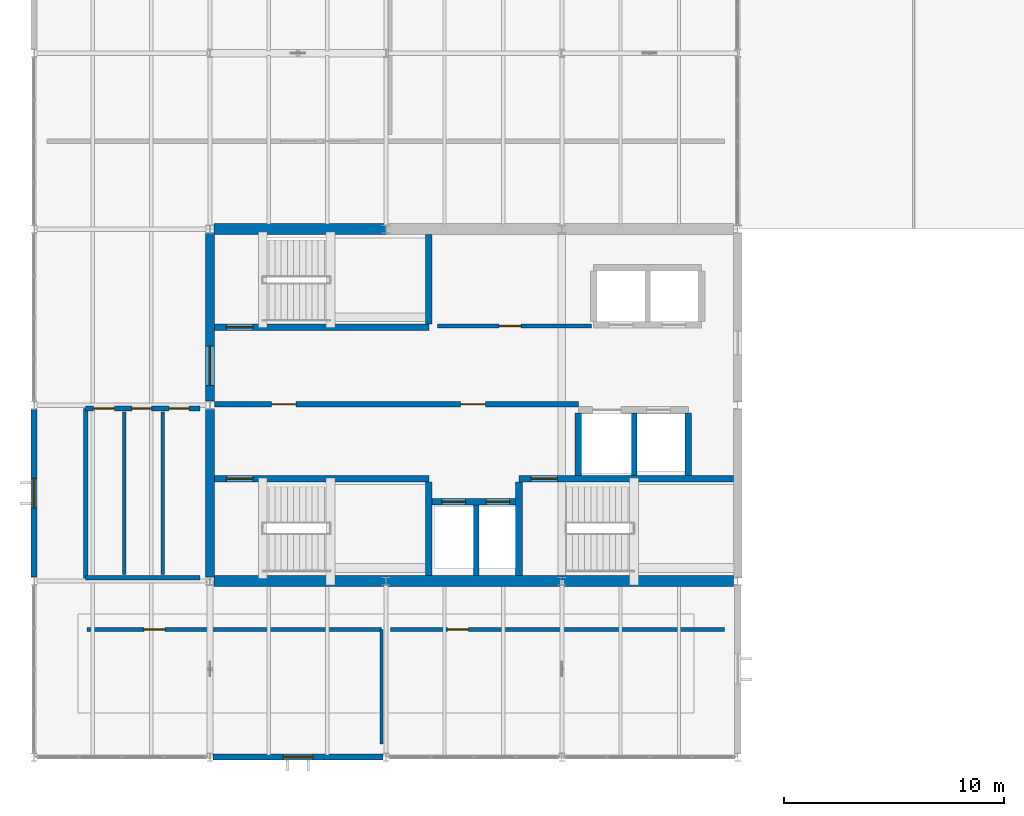
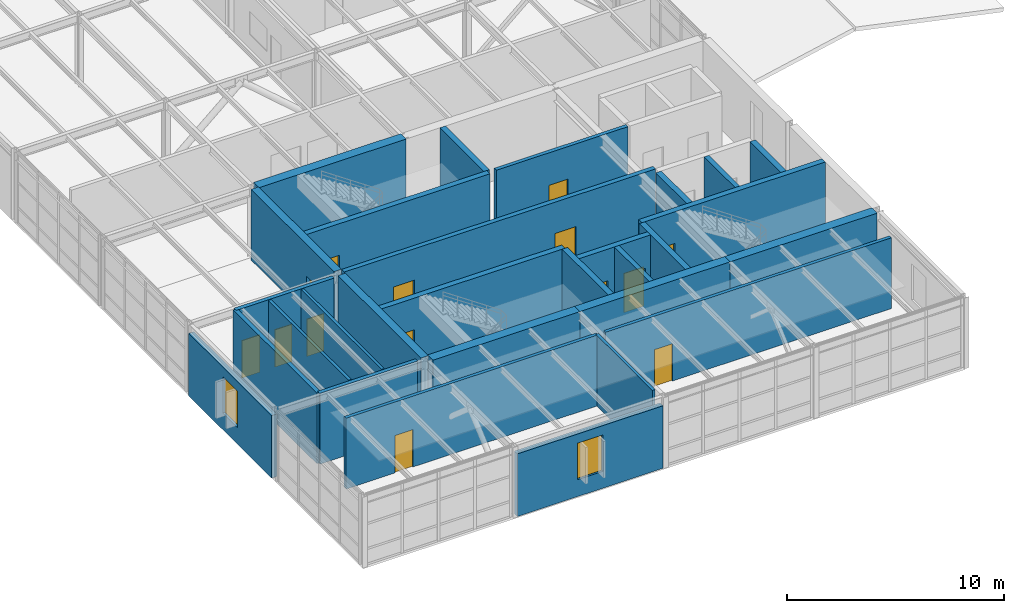
# One storey, part 16 of 20: 29 walls, 14 doors, 2 windows, 16 openings.
"""IFC4 building model written with IfcOpenShell, lengths in metres."""

from ifc_helpers import new_model, si_unit, direction, frame, frame_2d, origin, place, context, subcontext, project, spatial, rectangle, extrude, material, layer, layer_set, type_object, element, fill, save


model = new_model("IFC4")

# Units and contexts
model_context = context("Model", 3, precision=1e-05, world=origin(), true_north=direction((0.0, 1.0)))
body_context = subcontext(model_context, "Body", "Model", "MODEL_VIEW")
ifc_project = project(units=[si_unit("LENGTHUNIT", "METRE"), si_unit("AREAUNIT", "SQUARE_METRE"), si_unit("VOLUMEUNIT", "CUBIC_METRE"), si_unit("PLANEANGLEUNIT", "RADIAN"), si_unit("MASSUNIT", "GRAM", prefix="KILO")], contexts=[model_context])

# Site, building, storey
site_placement = place(None, origin())
site = spatial("IfcSite", under=ifc_project, at=site_placement, CompositionType="ELEMENT")
building_placement = place(site_placement, origin())
building = spatial("IfcBuilding", under=site, at=building_placement, Name="Varnela Railside Interchange", CompositionType="ELEMENT")
storey_placement = place(building_placement, frame((0.0, 0.0, 28.0)))
storey = spatial("IfcBuildingStorey", under=building, at=storey_placement, Name="L06", CompositionType="ELEMENT", Elevation=28.0)

# Walls
ifc_material_1 = material(Name="Gypsum acoustic board")
ifc_layer_1 = layer(ifc_material_1, 0.14990234375)
ifc_layer_set_1 = layer_set([ifc_layer_1], Name="Gypsum acoustic board")
wall_type_1 = type_object("IfcWallType", Name="Acoustic Drywall Partition IW-01", PredefinedType="PARTITIONING", material=ifc_layer_set_1)
for number, where, z_axis, x_axis, name in (
    (1, (8.10009765625, 54.300048828125, 0.0), (0.0, 0.0, 1.0), (0.0, 1.0, 0.0), "Acoustic Drywall Partition IW-01 (L06) (WL-1018)"),
    (2, (9.85009765625, 54.300048828125, 0.0), (0.0, 0.0, 1.0), (0.0, 1.0, 0.0), "Acoustic Drywall Partition IW-01 (L06) (WL-1019)"),
):
    element("IfcWall", number, at=place(storey_placement, frame(where, z_axis=z_axis, x_axis=x_axis)), inside=storey, type_object=wall_type_1, Name=name, PredefinedType="PARTITIONING", context=body_context, shape_type="SweptSolid", body=[
        extrude(rectangle(XDim=7.39990234375, YDim=0.14990234375, at=frame_2d((3.699951171875, 0.0))), origin(), (0.0, 0.0, 1.0), 3.97998046875),
    ])
wall_1_placement = place(storey_placement, frame((19.800048828125, 46.60009765625, 0.0), z_axis=(0.0, 0.0, 1.0), x_axis=(0.0, 1.0, 0.0)))
element("IfcWall", 3, at=wall_1_placement, inside=storey, type_object=wall_type_1, Name="Acoustic Drywall Partition IW-01 (L06) (WL-1012)", PredefinedType="PARTITIONING", context=body_context, shape_type="SweptSolid", body=[
    extrude(rectangle(XDim=5.199951171875, YDim=0.14990234375, at=frame_2d((2.60009765625, 0.0))), origin(), (0.0, 0.0, 1.0), 3.97998046875),
])
ifc_material_2 = material(Name="Concrete C50", Category="concrete")
ifc_layer_2 = layer(ifc_material_2, 0.39990234375)
ifc_layer_set_2 = layer_set([ifc_layer_2], Name="Concrete C50")
wall_type_2 = type_object("IfcWallType", Name="Core Coupling Shear Wall SW-02", PredefinedType="SHEAR", material=ifc_layer_set_2)
wall_2_placement = place(storey_placement, frame((12.0, 54.179931640625, 0.0), z_axis=(0.0, 0.0, 1.0), x_axis=(0.0, 1.0, 0.0)))
element("IfcWall", 4, at=wall_2_placement, inside=storey, type_object=wall_type_2, Name="Core Coupling Shear Wall SW-02 (L06) (WL-1003)", PredefinedType="SHEAR", context=body_context, shape_type="SweptSolid", body=[
    extrude(rectangle(XDim=7.64013671875, YDim=0.39990234375, at=frame_2d((3.820068359375, 0.0))), origin(), (0.0, 0.0, 1.0), 3.97998046875),
])

# Wall, opening, door
wall_3_placement = place(storey_placement, frame((12.0, 62.179931640625, 0.0), z_axis=(0.0, 0.0, 1.0), x_axis=(0.0, 1.0, 0.0)))
wall_3 = element("IfcWall", 5, at=wall_3_placement, inside=storey, type_object=wall_type_2, Name="Core Coupling Shear Wall SW-02 (L06) (WL-1004)", PredefinedType="SHEAR", context=body_context, shape_type="SweptSolid", body=[
    extrude(rectangle(XDim=7.64013671875, YDim=0.39990234375, at=frame_2d((3.820068359375, 0.0))), origin(), (0.0, 0.0, 1.0), 3.97998046875),
])
opening_1_placement = place(wall_3_placement, frame((0.719970703125, 0.0, 0.0)))
opening_1 = element("IfcOpeningElement", 6, at=opening_1_placement, cuts=wall_3, Name="Opening D-297", PredefinedType="OPENING", context=body_context, shape_type="SweptSolid", body=[
    extrude(rectangle(XDim=1.800048828125, YDim=2.199951171875, at=frame_2d((0.89990234375, 1.10009765625))), frame((0.0, 0.2099609375, 0.0), z_axis=(0.0, -1.0, 0.0), x_axis=(1.0, 0.0, 0.0)), (0.0, 0.0, 1.0), 0.419921875),
])
ifc_material_3 = material(Name="Steel AR 350 (350 MPa)", Category="steel")
door_type_1 = type_object("IfcDoorType", Name="DR-DBL-1800-FD60", OperationType="DOUBLE_DOOR_SINGLE_SWING", PredefinedType="DOOR", material=ifc_material_3)
door_1_placement = place(opening_1_placement, frame((1.800048828125, 0.0, 0.0), z_axis=(0.0, 0.0, 1.0), x_axis=(-1.0, 0.0, 0.0)))
door_1 = element("IfcDoor", 7, at=door_1_placement, inside=storey, type_object=door_type_1, Name="Door D-297", OperationType="DOUBLE_DOOR_SINGLE_SWING", OverallHeight=2.199951171875, OverallWidth=1.800048828125, PredefinedType="DOOR", context=body_context, shape_type="SweptSolid", body=[
    extrude(rectangle(XDim=1.800048828125, YDim=2.199951171875, at=frame_2d((0.89990234375, 1.10009765625))), frame((0.0, 0.02490234375, 0.0), z_axis=(0.0, -1.0, 0.0), x_axis=(1.0, 0.0, 0.0)), (0.0, 0.0, 1.0), 0.050048828125),
])
fill(opening_1, door_1)

# Walls
ifc_layer_3 = layer(ifc_material_2, 0.5)
ifc_layer_set_3 = layer_set([ifc_layer_3], Name="Concrete C50")
wall_type_3 = type_object("IfcWallType", Name="Core Primary Shear Wall SW-01", PredefinedType="SHEAR", material=ifc_layer_set_3)
wall_4_placement = place(storey_placement, frame((12.18505859375, 54.0, 0.0), z_axis=(0.0, 0.0, 1.0), x_axis=(1.0, 0.0, 0.0)))
element("IfcWall", 8, at=wall_4_placement, inside=storey, type_object=wall_type_3, Name="Core Primary Shear Wall SW-01 (L06) (WL-0994)", PredefinedType="SHEAR", context=body_context, shape_type="SweptSolid", body=[
    extrude(rectangle(XDim=7.81494140625, YDim=0.5, at=frame_2d((3.907470703125, 0.0))), origin(), (0.0, 0.0, 1.0), 3.97998046875),
])
wall_5_placement = place(storey_placement, frame((20.0, 54.0, 0.0), z_axis=(0.0, 0.0, 1.0), x_axis=(1.0, 0.0, 0.0)))
element("IfcWall", 9, at=wall_5_placement, inside=storey, type_object=wall_type_3, Name="Core Primary Shear Wall SW-01 (L06) (WL-0995)", PredefinedType="SHEAR", context=body_context, shape_type="SweptSolid", body=[
    extrude(rectangle(XDim=8.0, YDim=0.5, at=frame_2d((4.0, 0.0))), origin(), (0.0, 0.0, 1.0), 3.97998046875),
])
for number, where, z_axis, x_axis, name in (
    (10, (28.0, 54.0, 0.0), (0.0, 0.0, 1.0), (1.0, 0.0, 0.0), "Core Primary Shear Wall SW-01 (L06) (WL-0996)"),
    (11, (12.18505859375, 70.0, 0.0), (0.0, 0.0, 1.0), (1.0, 0.0, 0.0), "Core Primary Shear Wall SW-01 (L06) (WL-0991)"),
):
    element("IfcWall", number, at=place(storey_placement, frame(where, z_axis=z_axis, x_axis=x_axis)), inside=storey, type_object=wall_type_3, Name=name, PredefinedType="SHEAR", context=body_context, shape_type="SweptSolid", body=[
        extrude(rectangle(XDim=7.81494140625, YDim=0.5, at=frame_2d((3.907470703125, 0.0))), origin(), (0.0, 0.0, 1.0), 3.97998046875),
    ])

# Wall, opening, door
ifc_layer_4 = layer(ifc_material_1, 0.179931640625)
ifc_layer_set_4 = layer_set([ifc_layer_4], Name="Gypsum acoustic board")
wall_type_4 = type_object("IfcWallType", Name="Double-Stud Corridor Wall IW-02", PredefinedType="PARTITIONING", material=ifc_layer_set_4)
wall_6_placement = place(storey_placement, frame((6.39990234375, 51.800048828125, 0.0), z_axis=(0.0, 0.0, 1.0), x_axis=(1.0, 0.0, 0.0)))
wall_6 = element("IfcWall", 12, at=wall_6_placement, inside=storey, type_object=wall_type_4, Name="Double-Stud Corridor Wall IW-02 (L06) (WL-1013)", PredefinedType="PARTITIONING", context=body_context, shape_type="SweptSolid", body=[
    extrude(rectangle(XDim=13.400146484375, YDim=0.179931640625, at=frame_2d((6.7001953125, 0.0))), origin(), (0.0, 0.0, 1.0), 3.97998046875),
])
opening_2_placement = place(wall_6_placement, frame((2.60009765625, 0.0, 0.0)))
opening_2 = element("IfcOpeningElement", 13, at=opening_2_placement, cuts=wall_6, Name="Opening D-305", PredefinedType="OPENING", context=body_context, shape_type="SweptSolid", body=[
    extrude(rectangle(XDim=0.949951171875, YDim=2.10009765625, at=frame_2d((0.47509765625, 1.050048828125))), frame((0.0, 0.099853515625, 0.0), z_axis=(0.0, -1.0, 0.0), x_axis=(1.0, 0.0, 0.0)), (0.0, 0.0, 1.0), 0.199951171875),
])
ifc_material_4 = material(Name="Timber solid core", Category="wood")
door_type_2 = type_object("IfcDoorType", Name="DR-SGL-950-ACC", OperationType="NOTDEFINED", PredefinedType="DOOR", material=ifc_material_4)
door_2_placement = place(opening_2_placement, origin())
door_2 = element("IfcDoor", 14, at=door_2_placement, inside=storey, type_object=door_type_2, Name="Door D-305", OperationType="SINGLE_SWING_RIGHT", OverallHeight=2.10009765625, OverallWidth=0.949951171875, PredefinedType="DOOR", context=body_context, shape_type="SweptSolid", body=[
    extrude(rectangle(XDim=0.949951171875, YDim=2.10009765625, at=frame_2d((0.47509765625, 1.050048828125))), frame((0.0, 0.02490234375, 0.0), z_axis=(0.0, -1.0, 0.0), x_axis=(1.0, 0.0, 0.0)), (0.0, 0.0, 1.0), 0.050048828125),
])
fill(opening_2, door_2)

wall_7_placement = place(storey_placement, frame((20.199951171875, 51.800048828125, 0.0), z_axis=(0.0, 0.0, 1.0), x_axis=(1.0, 0.0, 0.0)))
wall_7 = element("IfcWall", 15, at=wall_7_placement, inside=storey, type_object=wall_type_4, Name="Double-Stud Corridor Wall IW-02 (L06) (WL-1015)", PredefinedType="PARTITIONING", context=body_context, shape_type="SweptSolid", body=[
    extrude(rectangle(XDim=15.199951171875, YDim=0.179931640625, at=frame_2d((7.60009765625, 0.0))), origin(), (0.0, 0.0, 1.0), 3.97998046875),
])
opening_3_placement = place(wall_7_placement, frame((2.60009765625, 0.0, 0.0)))
opening_3 = element("IfcOpeningElement", 16, at=opening_3_placement, cuts=wall_7, Name="Opening D-306", PredefinedType="OPENING", context=body_context, shape_type="SweptSolid", body=[
    extrude(rectangle(XDim=0.949951171875, YDim=2.10009765625, at=frame_2d((0.47509765625, 1.050048828125))), frame((0.0, 0.099853515625, 0.0), z_axis=(0.0, -1.0, 0.0), x_axis=(1.0, 0.0, 0.0)), (0.0, 0.0, 1.0), 0.199951171875),
])
door_3_placement = place(opening_3_placement, origin())
door_3 = element("IfcDoor", 17, at=door_3_placement, inside=storey, type_object=door_type_2, Name="Door D-306", OperationType="SINGLE_SWING_LEFT", OverallHeight=2.10009765625, OverallWidth=0.949951171875, PredefinedType="DOOR", context=body_context, shape_type="SweptSolid", body=[
    extrude(rectangle(XDim=0.949951171875, YDim=2.10009765625, at=frame_2d((0.47509765625, 1.050048828125))), frame((0.0, 0.02490234375, 0.0), z_axis=(0.0, -1.0, 0.0), x_axis=(1.0, 0.0, 0.0)), (0.0, 0.0, 1.0), 0.050048828125),
])
fill(opening_3, door_3)

ifc_material_5 = material(Name="Concrete C40", Category="concrete")
ifc_layer_5 = layer(ifc_material_5, 0.199951171875)
ifc_layer_set_5 = layer_set([ifc_layer_5], Name="Concrete C40")
wall_type_5 = type_object("IfcWallType", Name="Fire Compartment Wall EI60 FW-01", PredefinedType="SOLIDWALL", material=ifc_layer_set_5)
wall_8_placement = place(storey_placement, frame((22.35009765625, 65.60009765625, 0.0), z_axis=(0.0, 0.0, 1.0), x_axis=(1.0, 0.0, 0.0)))
wall_8 = element("IfcWall", 18, at=wall_8_placement, inside=storey, type_object=wall_type_5, Name="Fire Compartment Wall EI60 FW-01 (L06) (WL-1011)", PredefinedType="SOLIDWALL", context=body_context, shape_type="SweptSolid", body=[
    extrude(rectangle(XDim=7.0, YDim=0.199951171875, at=frame_2d((3.5, 0.0))), origin(), (0.0, 0.0, 1.0), 3.97998046875),
])
opening_4_placement = place(wall_8_placement, frame((2.800048828125, 0.0, 0.0)))
opening_4 = element("IfcOpeningElement", 19, at=opening_4_placement, cuts=wall_8, Name="Opening D-298", PredefinedType="OPENING", context=body_context, shape_type="SweptSolid", body=[
    extrude(rectangle(XDim=1.0, YDim=2.14990234375, at=frame_2d((0.5, 1.074951171875))), frame((0.0, 0.10986328125, 0.0), z_axis=(0.0, -1.0, 0.0), x_axis=(1.0, 0.0, 0.0)), (0.0, 0.0, 1.0), 0.219970703125),
])
door_type_3 = type_object("IfcDoorType", Name="DR-SGL-1000-FD60", OperationType="NOTDEFINED", PredefinedType="DOOR", material=ifc_material_3)
door_4_placement = place(opening_4_placement, origin())
door_4 = element("IfcDoor", 20, at=door_4_placement, inside=storey, type_object=door_type_3, Name="Door D-298", OperationType="SINGLE_SWING_RIGHT", OverallHeight=2.14990234375, OverallWidth=1.0, PredefinedType="DOOR", context=body_context, shape_type="SweptSolid", body=[
    extrude(rectangle(XDim=1.0, YDim=2.14990234375, at=frame_2d((0.5, 1.074951171875))), frame((0.0, 0.02490234375, 0.0), z_axis=(0.0, -1.0, 0.0), x_axis=(1.0, 0.0, 0.0)), (0.0, 0.0, 1.0), 0.050048828125),
])
fill(opening_4, door_4)

# Wall, opening, window
ifc_material_6 = material(Name="Concrete C40 precast", Category="concrete")
ifc_layer_6 = layer(ifc_material_6, 0.280029296875)
ifc_layer_set_6 = layer_set([ifc_layer_6], Name="Concrete C40 precast")
wall_type_6 = type_object("IfcWallType", Name="Ribbed Precast Concrete Facade Wall EW-02", PredefinedType="STANDARD", material=ifc_layer_set_6)
wall_9_placement = place(storey_placement, frame((19.87158203125, 46.0, 0.0), z_axis=(0.0, 0.0, 1.0), x_axis=(-1.0, 0.0, 0.0)))
wall_9 = element("IfcWall", 21, at=wall_9_placement, inside=storey, type_object=wall_type_6, Name="Ribbed Precast Concrete Facade Wall EW-02 (L06) (WL-1008)", PredefinedType="STANDARD", context=body_context, shape_type="SweptSolid", body=[
    extrude(rectangle(XDim=7.7431640625, YDim=0.280029296875, at=frame_2d((3.87158203125, 0.0))), origin(), (0.0, 0.0, 1.0), 3.52001953125),
])
opening_5_placement = place(wall_9_placement, frame((3.196533203125, 0.0, 0.949951171875)))
opening_5 = element("IfcOpeningElement", 22, at=opening_5_placement, cuts=wall_9, Name="Opening W-143", PredefinedType="OPENING", context=body_context, shape_type="SweptSolid", body=[
    extrude(rectangle(XDim=1.35009765625, YDim=2.050048828125, at=frame_2d((0.675048828125, 1.02490234375))), frame((0.0, 0.14990234375, 0.0), z_axis=(0.0, -1.0, 0.0), x_axis=(1.0, 0.0, 0.0)), (0.0, 0.0, 1.0), 0.300048828125),
])
ifc_material_7 = material(Name="Glass laminated double", Category="glass")
window_type = type_object("IfcWindowType", Name="SCADA Corner Window WN-15", PartitioningType="SINGLE_PANEL", PredefinedType="WINDOW", material=ifc_material_7)
window_1_placement = place(opening_5_placement, origin())
window_1 = element("IfcWindow", 23, at=window_1_placement, inside=storey, type_object=window_type, Name="Window W-143", OverallHeight=2.050048828125, OverallWidth=1.35009765625, PartitioningType="SINGLE_PANEL", PredefinedType="WINDOW", context=body_context, shape_type="SweptSolid", body=[
    extrude(rectangle(XDim=1.35009765625, YDim=2.050048828125, at=frame_2d((0.675048828125, 1.02490234375))), frame((0.0, 0.030029296875, 0.0), z_axis=(0.0, -1.0, 0.0), x_axis=(1.0, 0.0, 0.0)), (0.0, 0.0, 1.0), 0.06005859375),
])
fill(opening_5, window_1)

wall_10_placement = place(storey_placement, frame((4.0, 54.181396484375, 0.0), z_axis=(0.0, 0.0, 1.0), x_axis=(0.0, 1.0, 0.0)))
wall_10 = element("IfcWall", 24, at=wall_10_placement, inside=storey, type_object=wall_type_6, Name="Ribbed Precast Concrete Facade Wall EW-02 (L06) (WL-1009)", PredefinedType="STANDARD", context=body_context, shape_type="SweptSolid", body=[
    extrude(rectangle(XDim=7.63720703125, YDim=0.280029296875, at=frame_2d((3.818603515625, 0.0))), origin(), (0.0, 0.0, 1.0), 3.52001953125),
])
opening_6_placement = place(wall_10_placement, frame((3.1435546875, 0.0, 0.949951171875)))
opening_6 = element("IfcOpeningElement", 25, at=opening_6_placement, cuts=wall_10, Name="Opening W-144", PredefinedType="OPENING", context=body_context, shape_type="SweptSolid", body=[
    extrude(rectangle(XDim=1.35009765625, YDim=2.050048828125, at=frame_2d((0.675048828125, 1.02490234375))), frame((0.0, 0.14990234375, 0.0), z_axis=(0.0, -1.0, 0.0), x_axis=(1.0, 0.0, 0.0)), (0.0, 0.0, 1.0), 0.300048828125),
])
window_2_placement = place(opening_6_placement, origin())
window_2 = element("IfcWindow", 26, at=window_2_placement, inside=storey, type_object=window_type, Name="Window W-144", OverallHeight=2.050048828125, OverallWidth=1.35009765625, PartitioningType="SINGLE_PANEL", PredefinedType="WINDOW", context=body_context, shape_type="SweptSolid", body=[
    extrude(rectangle(XDim=1.35009765625, YDim=2.050048828125, at=frame_2d((0.675048828125, 1.02490234375))), frame((0.0, 0.030029296875, 0.0), z_axis=(0.0, -1.0, 0.0), x_axis=(1.0, 0.0, 0.0)), (0.0, 0.0, 1.0), 0.06005859375),
])
fill(opening_6, window_2)

# Wall, openings, doors
ifc_material_8 = material(Name="Masonry concrete block", Category="masonry")
ifc_layer_7 = layer(ifc_material_8, 0.2099609375)
ifc_layer_set_7 = layer_set([ifc_layer_7], Name="Masonry concrete block")
wall_type_7 = type_object("IfcWallType", Name="Sanitary Plumbing Chase Wall IW-04", PredefinedType="PLUMBINGWALL", material=ifc_layer_set_7)
wall_11_placement = place(storey_placement, frame((6.35009765625, 61.85009765625, 0.0), z_axis=(0.0, 0.0, 1.0), x_axis=(1.0, 0.0, 0.0)))
wall_11 = element("IfcWall", 27, at=wall_11_placement, inside=storey, type_object=wall_type_7, Name="Sanitary Plumbing Chase Wall IW-04 (L06) (WL-1020)", PredefinedType="PLUMBINGWALL", context=body_context, shape_type="SweptSolid", body=[
    extrude(rectangle(XDim=5.199951171875, YDim=0.2099609375, at=frame_2d((2.60009765625, 0.0))), origin(), (0.0, 0.0, 1.0), 3.97998046875),
])
opening_7_placement = place(wall_11_placement, frame((0.35009765625, 0.0, 0.0)))
opening_7 = element("IfcOpeningElement", 28, at=opening_7_placement, cuts=wall_11, Name="Opening D-299", PredefinedType="OPENING", context=body_context, shape_type="SweptSolid", body=[
    extrude(rectangle(XDim=0.949951171875, YDim=2.10009765625, at=frame_2d((0.47509765625, 1.050048828125))), frame((0.0, 0.114990234375, 0.0), z_axis=(0.0, -1.0, 0.0), x_axis=(1.0, 0.0, 0.0)), (0.0, 0.0, 1.0), 0.22998046875),
])
opening_8_placement = place(wall_11_placement, frame((2.10009765625, 0.0, 0.0)))
opening_8 = element("IfcOpeningElement", 29, at=opening_8_placement, cuts=wall_11, Name="Opening D-300", PredefinedType="OPENING", context=body_context, shape_type="SweptSolid", body=[
    extrude(rectangle(XDim=0.89990234375, YDim=2.10009765625, at=frame_2d((0.449951171875, 1.050048828125))), frame((0.0, 0.114990234375, 0.0), z_axis=(0.0, -1.0, 0.0), x_axis=(1.0, 0.0, 0.0)), (0.0, 0.0, 1.0), 0.22998046875),
])
opening_9_placement = place(wall_11_placement, frame((3.800048828125, 0.0, 0.0)))
opening_9 = element("IfcOpeningElement", 30, at=opening_9_placement, cuts=wall_11, Name="Opening D-301", PredefinedType="OPENING", context=body_context, shape_type="SweptSolid", body=[
    extrude(rectangle(XDim=0.89990234375, YDim=2.10009765625, at=frame_2d((0.449951171875, 1.050048828125))), frame((0.0, 0.114990234375, 0.0), z_axis=(0.0, -1.0, 0.0), x_axis=(1.0, 0.0, 0.0)), (0.0, 0.0, 1.0), 0.22998046875),
])
door_type_4 = type_object("IfcDoorType", Name="DR-SGL-900", OperationType="NOTDEFINED", PredefinedType="DOOR", material=ifc_material_4)
door_5_placement = place(opening_8_placement, origin())
door_5 = element("IfcDoor", 31, at=door_5_placement, inside=storey, type_object=door_type_4, Name="Door D-300", OperationType="SINGLE_SWING_RIGHT", OverallHeight=2.10009765625, OverallWidth=0.89990234375, PredefinedType="DOOR", context=body_context, shape_type="SweptSolid", body=[
    extrude(rectangle(XDim=0.89990234375, YDim=2.10009765625, at=frame_2d((0.449951171875, 1.050048828125))), frame((0.0, 0.02490234375, 0.0), z_axis=(0.0, -1.0, 0.0), x_axis=(1.0, 0.0, 0.0)), (0.0, 0.0, 1.0), 0.050048828125),
])
fill(opening_8, door_5)
door_6_placement = place(opening_9_placement, origin())
door_6 = element("IfcDoor", 32, at=door_6_placement, inside=storey, type_object=door_type_4, Name="Door D-301", OperationType="SINGLE_SWING_LEFT", OverallHeight=2.10009765625, OverallWidth=0.89990234375, PredefinedType="DOOR", context=body_context, shape_type="SweptSolid", body=[
    extrude(rectangle(XDim=0.89990234375, YDim=2.10009765625, at=frame_2d((0.449951171875, 1.050048828125))), frame((0.0, 0.02490234375, 0.0), z_axis=(0.0, -1.0, 0.0), x_axis=(1.0, 0.0, 0.0)), (0.0, 0.0, 1.0), 0.050048828125),
])
fill(opening_9, door_6)
door_7_placement = place(opening_7_placement, origin())
door_7 = element("IfcDoor", 33, at=door_7_placement, inside=storey, type_object=door_type_2, Name="Door D-299", OperationType="SINGLE_SWING_LEFT", OverallHeight=2.10009765625, OverallWidth=0.949951171875, PredefinedType="DOOR", context=body_context, shape_type="SweptSolid", body=[
    extrude(rectangle(XDim=0.949951171875, YDim=2.10009765625, at=frame_2d((0.47509765625, 1.050048828125))), frame((0.0, 0.02490234375, 0.0), z_axis=(0.0, -1.0, 0.0), x_axis=(1.0, 0.0, 0.0)), (0.0, 0.0, 1.0), 0.050048828125),
])
fill(opening_7, door_7)

# Walls
wall_12_placement = place(storey_placement, frame((6.35009765625, 54.14990234375, 0.0), z_axis=(0.0, 0.0, 1.0), x_axis=(1.0, 0.0, 0.0)))
element("IfcWall", 34, at=wall_12_placement, inside=storey, type_object=wall_type_7, Name="Sanitary Plumbing Chase Wall IW-04 (L06) (WL-1021)", PredefinedType="PLUMBINGWALL", context=body_context, shape_type="SweptSolid", body=[
    extrude(rectangle(XDim=5.199951171875, YDim=0.2099609375, at=frame_2d((2.60009765625, 0.0))), origin(), (0.0, 0.0, 1.0), 3.97998046875),
])
wall_13_placement = place(storey_placement, frame((6.35009765625, 54.14990234375, 0.0), z_axis=(0.0, 0.0, 1.0), x_axis=(0.0, 1.0, 0.0)))
element("IfcWall", 35, at=wall_13_placement, inside=storey, type_object=wall_type_7, Name="Sanitary Plumbing Chase Wall IW-04 (L06) (WL-1022)", PredefinedType="PLUMBINGWALL", context=body_context, shape_type="SweptSolid", body=[
    extrude(rectangle(XDim=7.7001953125, YDim=0.2099609375, at=frame_2d((3.85009765625, 0.0))), origin(), (0.0, 0.0, 1.0), 3.97998046875),
])

# Wall, opening, door
ifc_layer_8 = layer(ifc_material_2, 0.300048828125)
ifc_layer_set_8 = layer_set([ifc_layer_8], Name="Concrete C50")
wall_type_8 = type_object("IfcWallType", Name="Stair & Lift Shaft Wall SW-03", PredefinedType="SHEAR", material=ifc_layer_set_8)
wall_14_placement = place(storey_placement, frame((12.199951171875, 58.64990234375, 0.0), z_axis=(0.0, 0.0, 1.0), x_axis=(1.0, 0.0, 0.0)))
wall_14 = element("IfcWall", 36, at=wall_14_placement, inside=storey, type_object=wall_type_8, Name="Stair & Lift Shaft Wall SW-03 (L06) (WL-0998)", PredefinedType="SHEAR", context=body_context, shape_type="SweptSolid", body=[
    extrude(rectangle(XDim=9.75, YDim=0.300048828125, at=frame_2d((4.875, 0.0))), origin(), (0.0, 0.0, 1.0), 3.97998046875),
])
opening_10_placement = place(wall_14_placement, frame((0.550048828125, 0.0, 0.0)))
opening_10 = element("IfcOpeningElement", 37, at=opening_10_placement, cuts=wall_14, Name="Opening D-292", PredefinedType="OPENING", context=body_context, shape_type="SweptSolid", body=[
    extrude(rectangle(XDim=1.199951171875, YDim=2.199951171875, at=frame_2d((0.60009765625, 1.10009765625))), frame((0.0, 0.159912109375, 0.0), z_axis=(0.0, -1.0, 0.0), x_axis=(1.0, 0.0, 0.0)), (0.0, 0.0, 1.0), 0.320068359375),
])
door_type_5 = type_object("IfcDoorType", Name="DR-SGL-1200-FD90", OperationType="NOTDEFINED", PredefinedType="DOOR", material=ifc_material_3)
door_8_placement = place(opening_10_placement, frame((1.199951171875, 0.0, 0.0), z_axis=(0.0, 0.0, 1.0), x_axis=(-1.0, 0.0, 0.0)))
door_8 = element("IfcDoor", 38, at=door_8_placement, inside=storey, type_object=door_type_5, Name="Door D-292", OperationType="SINGLE_SWING_LEFT", OverallHeight=2.199951171875, OverallWidth=1.199951171875, PredefinedType="DOOR", context=body_context, shape_type="SweptSolid", body=[
    extrude(rectangle(XDim=1.199951171875, YDim=2.199951171875, at=frame_2d((0.60009765625, 1.10009765625))), frame((0.0, 0.02490234375, 0.0), z_axis=(0.0, -1.0, 0.0), x_axis=(1.0, 0.0, 0.0)), (0.0, 0.0, 1.0), 0.050048828125),
])
fill(opening_10, door_8)

# Wall
wall_15_placement = place(storey_placement, frame((21.949951171875, 54.25, 0.0), z_axis=(0.0, 0.0, 1.0), x_axis=(0.0, 1.0, 0.0)))
element("IfcWall", 39, at=wall_15_placement, inside=storey, type_object=wall_type_8, Name="Stair & Lift Shaft Wall SW-03 (L06) (WL-0997)", PredefinedType="SHEAR", context=body_context, shape_type="SweptSolid", body=[
    extrude(rectangle(XDim=4.25, YDim=0.300048828125, at=frame_2d((2.125, 0.0))), origin(), (0.0, 0.0, 1.0), 3.97998046875),
])

# Wall, opening, door
wall_16_placement = place(storey_placement, frame((26.050048828125, 58.64990234375, 0.0), z_axis=(0.0, 0.0, 1.0), x_axis=(1.0, 0.0, 0.0)))
wall_16 = element("IfcWall", 40, at=wall_16_placement, inside=storey, type_object=wall_type_8, Name="Stair & Lift Shaft Wall SW-03 (L06) (WL-0999)", PredefinedType="SHEAR", context=body_context, shape_type="SweptSolid", body=[
    extrude(rectangle(XDim=9.75, YDim=0.300048828125, at=frame_2d((4.875, 0.0))), origin(), (0.0, 0.0, 1.0), 3.97998046875),
])
opening_11_placement = place(wall_16_placement, frame((0.550048828125, 0.0, 0.0)))
opening_11 = element("IfcOpeningElement", 41, at=opening_11_placement, cuts=wall_16, Name="Opening D-293", PredefinedType="OPENING", context=body_context, shape_type="SweptSolid", body=[
    extrude(rectangle(XDim=1.199951171875, YDim=2.199951171875, at=frame_2d((0.60009765625, 1.10009765625))), frame((0.0, 0.159912109375, 0.0), z_axis=(0.0, -1.0, 0.0), x_axis=(1.0, 0.0, 0.0)), (0.0, 0.0, 1.0), 0.320068359375),
])
door_9_placement = place(opening_11_placement, frame((1.199951171875, 0.0, 0.0), z_axis=(0.0, 0.0, 1.0), x_axis=(-1.0, 0.0, 0.0)))
door_9 = element("IfcDoor", 42, at=door_9_placement, inside=storey, type_object=door_type_5, Name="Door D-293", OperationType="SINGLE_SWING_RIGHT", OverallHeight=2.199951171875, OverallWidth=1.199951171875, PredefinedType="DOOR", context=body_context, shape_type="SweptSolid", body=[
    extrude(rectangle(XDim=1.199951171875, YDim=2.199951171875, at=frame_2d((0.60009765625, 1.10009765625))), frame((0.0, 0.02490234375, 0.0), z_axis=(0.0, -1.0, 0.0), x_axis=(1.0, 0.0, 0.0)), (0.0, 0.0, 1.0), 0.050048828125),
])
fill(opening_11, door_9)

# Wall
wall_17_placement = place(storey_placement, frame((26.050048828125, 54.25, 0.0), z_axis=(0.0, 0.0, 1.0), x_axis=(0.0, 1.0, 0.0)))
element("IfcWall", 43, at=wall_17_placement, inside=storey, type_object=wall_type_8, Name="Stair & Lift Shaft Wall SW-03 (L06) (WL-1000)", PredefinedType="SHEAR", context=body_context, shape_type="SweptSolid", body=[
    extrude(rectangle(XDim=4.25, YDim=0.300048828125, at=frame_2d((2.125, 0.0))), origin(), (0.0, 0.0, 1.0), 3.97998046875),
])

# Wall, openings, doors
wall_18_placement = place(storey_placement, frame((22.10009765625, 57.60009765625, 0.0), z_axis=(0.0, 0.0, 1.0), x_axis=(1.0, 0.0, 0.0)))
wall_18 = element("IfcWall", 44, at=wall_18_placement, inside=storey, type_object=wall_type_8, Name="Stair & Lift Shaft Wall SW-03 (L06) (WL-0981)", PredefinedType="SHEAR", context=body_context, shape_type="SweptSolid", body=[
    extrude(rectangle(XDim=3.949951171875, YDim=0.300048828125, at=frame_2d((1.97509765625, 0.0))), origin(), (0.0, 0.0, 1.0), 3.97998046875),
])
opening_12_placement = place(wall_18_placement, frame((0.449951171875, 0.0, 0.0)))
opening_12 = element("IfcOpeningElement", 45, at=opening_12_placement, cuts=wall_18, Name="Opening LD-084", PredefinedType="OPENING", context=body_context, shape_type="SweptSolid", body=[
    extrude(rectangle(XDim=1.080078125, YDim=2.199951171875, at=frame_2d((0.5400390625, 1.10009765625))), frame((0.0, 0.159912109375, 0.0), z_axis=(0.0, -1.0, 0.0), x_axis=(1.0, 0.0, 0.0)), (0.0, 0.0, 1.0), 0.320068359375),
])
opening_13_placement = place(wall_18_placement, frame((2.449951171875, 0.0, 0.0)))
opening_13 = element("IfcOpeningElement", 46, at=opening_13_placement, cuts=wall_18, Name="Opening LD-085", PredefinedType="OPENING", context=body_context, shape_type="SweptSolid", body=[
    extrude(rectangle(XDim=1.080078125, YDim=2.199951171875, at=frame_2d((0.5400390625, 1.10009765625))), frame((0.0, 0.159912109375, 0.0), z_axis=(0.0, -1.0, 0.0), x_axis=(1.0, 0.0, 0.0)), (0.0, 0.0, 1.0), 0.320068359375),
])
door_type_6 = type_object("IfcDoorType", Name="DR-LIFT-1080", OperationType="SLIDING_TO_LEFT", PredefinedType="DOOR", material=ifc_material_3)
door_10_placement = place(opening_12_placement, origin())
door_10 = element("IfcDoor", 47, at=door_10_placement, inside=storey, type_object=door_type_6, Name="Door LD-084", OperationType="SLIDING_TO_LEFT", OverallHeight=2.199951171875, OverallWidth=1.080078125, PredefinedType="DOOR", context=body_context, shape_type="SweptSolid", body=[
    extrude(rectangle(XDim=1.080078125, YDim=2.199951171875, at=frame_2d((0.5400390625, 1.10009765625))), frame((0.0, 0.02490234375, 0.0), z_axis=(0.0, -1.0, 0.0), x_axis=(1.0, 0.0, 0.0)), (0.0, 0.0, 1.0), 0.050048828125),
])
fill(opening_12, door_10)
door_11_placement = place(opening_13_placement, origin())
door_11 = element("IfcDoor", 48, at=door_11_placement, inside=storey, type_object=door_type_6, Name="Door LD-085", OperationType="SLIDING_TO_LEFT", OverallHeight=2.199951171875, OverallWidth=1.080078125, PredefinedType="DOOR", context=body_context, shape_type="SweptSolid", body=[
    extrude(rectangle(XDim=1.080078125, YDim=2.199951171875, at=frame_2d((0.5400390625, 1.10009765625))), frame((0.0, 0.02490234375, 0.0), z_axis=(0.0, -1.0, 0.0), x_axis=(1.0, 0.0, 0.0)), (0.0, 0.0, 1.0), 0.050048828125),
])
fill(opening_13, door_11)

# Walls
wall_19_placement = place(storey_placement, frame((24.10009765625, 54.25, 0.0), z_axis=(0.0, 0.0, 1.0), x_axis=(0.0, 1.0, 0.0)))
element("IfcWall", 49, at=wall_19_placement, inside=storey, type_object=wall_type_8, Name="Stair & Lift Shaft Wall SW-03 (L06) (WL-0980)", PredefinedType="SHEAR", context=body_context, shape_type="SweptSolid", body=[
    extrude(rectangle(XDim=3.199951171875, YDim=0.25, at=frame_2d((1.60009765625, 0.0))), origin(), (0.0, 0.0, 1.0), 3.97998046875),
])
for number, where, z_axis, x_axis, name in (
    (50, (28.75, 58.800048828125, 0.0), (0.0, 0.0, 1.0), (0.0, 1.0, 0.0), "Stair & Lift Shaft Wall SW-03 (L06) (WL-0985)"),
    (51, (33.75, 58.800048828125, 0.0), (0.0, 0.0, 1.0), (0.0, 1.0, 0.0), "Stair & Lift Shaft Wall SW-03 (L06) (WL-0983)"),
):
    element("IfcWall", number, at=place(storey_placement, frame(where, z_axis=z_axis, x_axis=x_axis)), inside=storey, type_object=wall_type_8, Name=name, PredefinedType="SHEAR", context=body_context, shape_type="SweptSolid", body=[
        extrude(rectangle(XDim=2.849853515625, YDim=0.300048828125, at=frame_2d((1.4248046875, 0.0))), origin(), (0.0, 0.0, 1.0), 3.97998046875),
    ])
wall_20_placement = place(storey_placement, frame((31.300048828125, 58.800048828125, 0.0), z_axis=(0.0, 0.0, 1.0), x_axis=(0.0, 1.0, 0.0)))
element("IfcWall", 52, at=wall_20_placement, inside=storey, type_object=wall_type_8, Name="Stair & Lift Shaft Wall SW-03 (L06) (WL-0982)", PredefinedType="SHEAR", context=body_context, shape_type="SweptSolid", body=[
    extrude(rectangle(XDim=2.849853515625, YDim=0.25, at=frame_2d((1.4248046875, 0.0))), origin(), (0.0, 0.0, 1.0), 3.97998046875),
])

# Wall, openings, doors
wall_21_placement = place(storey_placement, frame((12.199951171875, 62.050048828125, 0.0), z_axis=(0.0, 0.0, 1.0), x_axis=(1.0, 0.0, 0.0)))
wall_21 = element("IfcWall", 53, at=wall_21_placement, inside=storey, type_object=wall_type_8, Name="Stair & Lift Shaft Wall SW-03 (L06) (WL-0979)", PredefinedType="SHEAR", context=body_context, shape_type="SweptSolid", body=[
    extrude(rectangle(XDim=16.550048828125, YDim=0.25, at=frame_2d((8.27490234375, 0.0))), origin(), (0.0, 0.0, 1.0), 3.97998046875),
])
opening_14_placement = place(wall_21_placement, frame((2.60009765625, 0.0, 0.0)))
opening_14 = element("IfcOpeningElement", 54, at=opening_14_placement, cuts=wall_21, Name="Opening D-295", PredefinedType="OPENING", context=body_context, shape_type="SweptSolid", body=[
    extrude(rectangle(XDim=1.1201171875, YDim=2.219970703125, at=frame_2d((0.56005859375, 1.10986328125))), frame((0.0, 0.135009765625, 0.0), z_axis=(0.0, -1.0, 0.0), x_axis=(1.0, 0.0, 0.0)), (0.0, 0.0, 1.0), 0.27001953125),
])
opening_15_placement = place(wall_21_placement, frame((11.199951171875, 0.0, 0.0)))
opening_15 = element("IfcOpeningElement", 55, at=opening_15_placement, cuts=wall_21, Name="Opening D-296", PredefinedType="OPENING", context=body_context, shape_type="SweptSolid", body=[
    extrude(rectangle(XDim=1.1201171875, YDim=2.219970703125, at=frame_2d((0.56005859375, 1.10986328125))), frame((0.0, 0.135009765625, 0.0), z_axis=(0.0, -1.0, 0.0), x_axis=(1.0, 0.0, 0.0)), (0.0, 0.0, 1.0), 0.27001953125),
])
door_type_7 = type_object("IfcDoorType", Name="DR-SGL-1120-FD90", OperationType="NOTDEFINED", PredefinedType="DOOR", material=ifc_material_3)
door_12_placement = place(opening_14_placement, frame((1.1201171875, 0.0, 0.0), z_axis=(0.0, 0.0, 1.0), x_axis=(-1.0, 0.0, 0.0)))
door_12 = element("IfcDoor", 56, at=door_12_placement, inside=storey, type_object=door_type_7, Name="Door D-295", OperationType="SINGLE_SWING_RIGHT", OverallHeight=2.219970703125, OverallWidth=1.1201171875, PredefinedType="DOOR", context=body_context, shape_type="SweptSolid", body=[
    extrude(rectangle(XDim=1.1201171875, YDim=2.219970703125, at=frame_2d((0.56005859375, 1.10986328125))), frame((0.0, 0.02490234375, 0.0), z_axis=(0.0, -1.0, 0.0), x_axis=(1.0, 0.0, 0.0)), (0.0, 0.0, 1.0), 0.050048828125),
])
fill(opening_14, door_12)
door_13_placement = place(opening_15_placement, frame((1.1201171875, 0.0, 0.0), z_axis=(0.0, 0.0, 1.0), x_axis=(-1.0, 0.0, 0.0)))
door_13 = element("IfcDoor", 57, at=door_13_placement, inside=storey, type_object=door_type_7, Name="Door D-296", OperationType="SINGLE_SWING_LEFT", OverallHeight=2.219970703125, OverallWidth=1.1201171875, PredefinedType="DOOR", context=body_context, shape_type="SweptSolid", body=[
    extrude(rectangle(XDim=1.1201171875, YDim=2.219970703125, at=frame_2d((0.56005859375, 1.10986328125))), frame((0.0, 0.02490234375, 0.0), z_axis=(0.0, -1.0, 0.0), x_axis=(1.0, 0.0, 0.0)), (0.0, 0.0, 1.0), 0.050048828125),
])
fill(opening_15, door_13)

# Wall, opening, door
wall_22_placement = place(storey_placement, frame((12.199951171875, 65.550048828125, 0.0), z_axis=(0.0, 0.0, 1.0), x_axis=(1.0, 0.0, 0.0)))
wall_22 = element("IfcWall", 58, at=wall_22_placement, inside=storey, type_object=wall_type_8, Name="Stair & Lift Shaft Wall SW-03 (L06) (WL-1002)", PredefinedType="SHEAR", context=body_context, shape_type="SweptSolid", body=[
    extrude(rectangle(XDim=9.75, YDim=0.300048828125, at=frame_2d((4.875, 0.0))), origin(), (0.0, 0.0, 1.0), 3.97998046875),
])
opening_16_placement = place(wall_22_placement, frame((0.550048828125, 0.0, 0.0)))
opening_16 = element("IfcOpeningElement", 59, at=opening_16_placement, cuts=wall_22, Name="Opening D-294", PredefinedType="OPENING", context=body_context, shape_type="SweptSolid", body=[
    extrude(rectangle(XDim=1.199951171875, YDim=2.199951171875, at=frame_2d((0.60009765625, 1.10009765625))), frame((0.0, 0.159912109375, 0.0), z_axis=(0.0, -1.0, 0.0), x_axis=(1.0, 0.0, 0.0)), (0.0, 0.0, 1.0), 0.320068359375),
])
door_14_placement = place(opening_16_placement, origin())
door_14 = element("IfcDoor", 60, at=door_14_placement, inside=storey, type_object=door_type_5, Name="Door D-294", OperationType="SINGLE_SWING_LEFT", OverallHeight=2.199951171875, OverallWidth=1.199951171875, PredefinedType="DOOR", context=body_context, shape_type="SweptSolid", body=[
    extrude(rectangle(XDim=1.199951171875, YDim=2.199951171875, at=frame_2d((0.60009765625, 1.10009765625))), frame((0.0, 0.02490234375, 0.0), z_axis=(0.0, -1.0, 0.0), x_axis=(1.0, 0.0, 0.0)), (0.0, 0.0, 1.0), 0.050048828125),
])
fill(opening_16, door_14)

# Wall
wall_23_placement = place(storey_placement, frame((21.949951171875, 65.699951171875, 0.0), z_axis=(0.0, 0.0, 1.0), x_axis=(0.0, 1.0, 0.0)))
element("IfcWall", 61, at=wall_23_placement, inside=storey, type_object=wall_type_8, Name="Stair & Lift Shaft Wall SW-03 (L06) (WL-1001)", PredefinedType="SHEAR", context=body_context, shape_type="SweptSolid", body=[
    extrude(rectangle(XDim=4.050048828125, YDim=0.300048828125, at=frame_2d((2.02490234375, 0.0))), origin(), (0.0, 0.0, 1.0), 3.97998046875),
])

save(model, "model.ifc")
